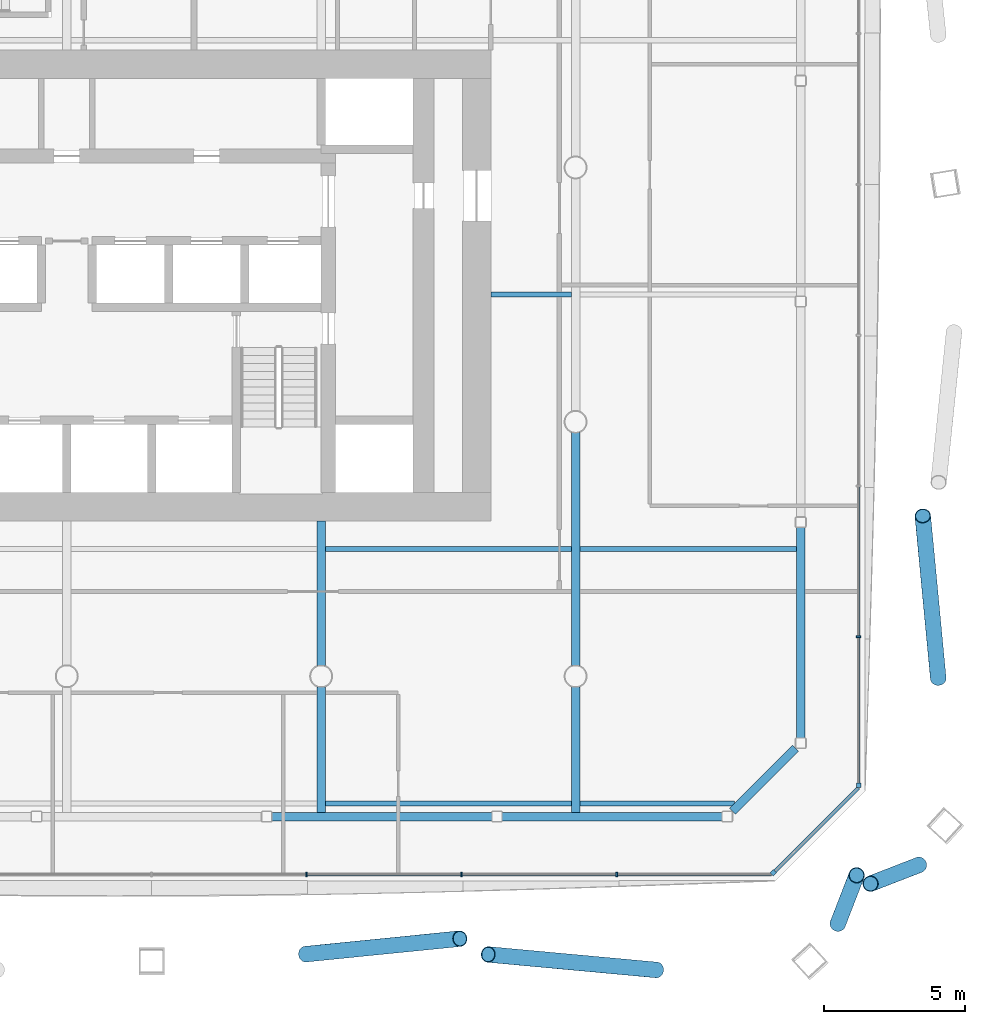
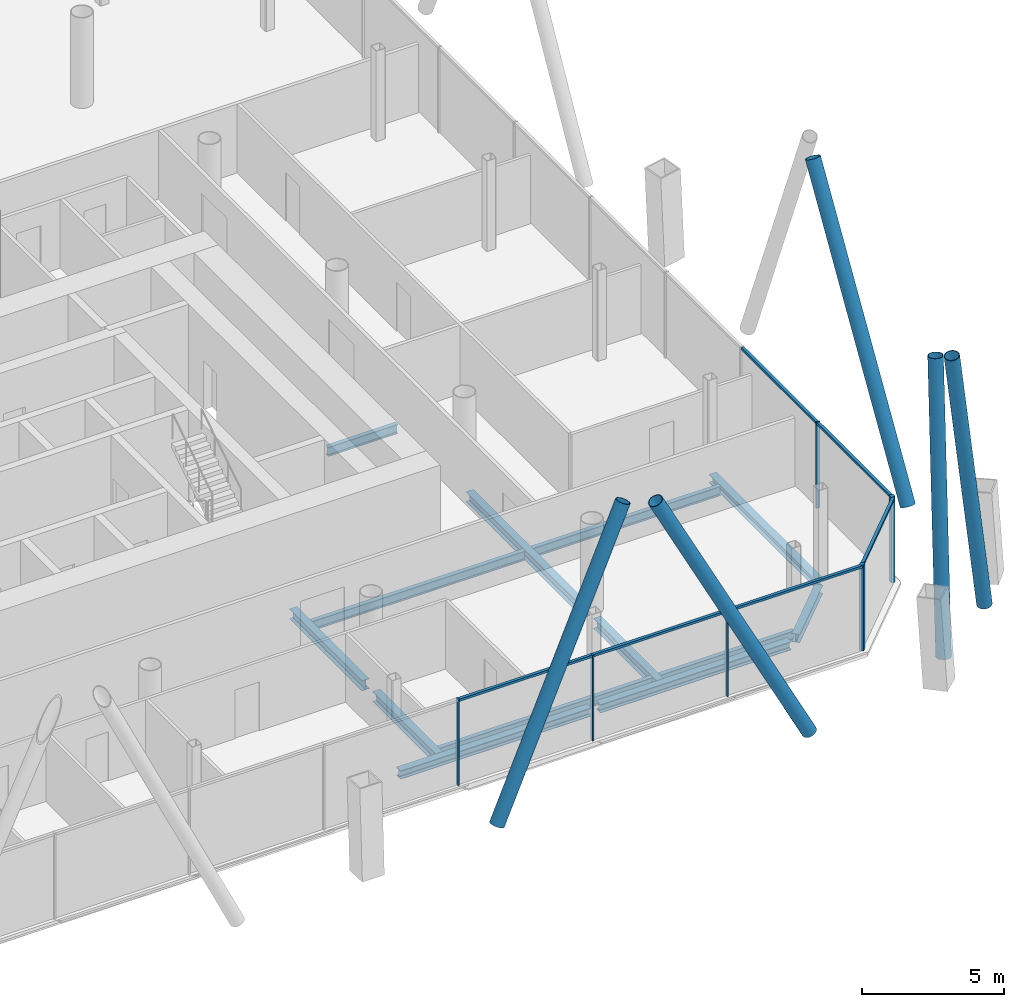
# One storey, part 6 of 22: 17 members, 13 beams, 3 elements without a shape of their own.
"""IFC4 building model written with IfcOpenShell, lengths in metres."""

import ifcopenshell
import ifcopenshell.guid

model = None  # the IFC model being written
_history = None  # IfcOwnerHistory: only IFC2X3 demands one
_inside = {}  # id of a spatial element -> (the spatial element, [elements in it])
_under = {}  # id of a project, library or spatial element -> (it, [spatial elements below it])
_declared = {}  # id of a project -> (the project, [libraries it declares])
_typed = {}  # id of a type object -> (the type object, [elements of that type])
_made_of = {}  # id of a material, layer set ... -> (it, [elements and type objects made of it])


def new_model(schema):
    """Start an empty IFC model of exactly this schema.

    Asked for "IFC4X3", IfcOpenShell would pick the latest addendum, in which some entities
    have other attributes; the version numbers below select the first issue.
    IFC2X3 requires an IfcOwnerHistory on every rooted entity: one is made here for all.
    """
    global model, _history
    if schema == "IFC4X3":
        model = ifcopenshell.file(schema_version=(4, 3, 0, 0))
    else:
        model = ifcopenshell.file(schema=schema)
    _inside.clear()
    _under.clear()
    _declared.clear()
    _typed.clear()
    _made_of.clear()
    _history = None
    if model.schema == "IFC2X3":
        org = make("IfcOrganization", Name="unknown")
        user = make(
            "IfcPersonAndOrganization",
            ThePerson=make("IfcPerson", FamilyName="unknown"),
            TheOrganization=org,
        )
        app = make(
            "IfcApplication",
            ApplicationDeveloper=org,
            Version="unknown",
            ApplicationFullName="unknown",
            ApplicationIdentifier="unknown",
        )
        _history = make(
            "IfcOwnerHistory",
            OwningUser=user,
            OwningApplication=app,
            ChangeAction="ADDED",
            CreationDate=0,
        )
    return model


def make(cls, **values):
    """One entity of the class cls with the attributes given. An attribute that is None is left unset."""
    return model.create_entity(
        cls, **{name: value for name, value in values.items() if value is not None}
    )


def rooted(cls, **values):
    """An entity with a GlobalId (a new one), such as an element, a storey or a relation."""
    return make(cls, GlobalId=ifcopenshell.guid.new(), OwnerHistory=_history, **values)


def si_unit(unit_type, name, prefix=None):
    """IfcSIUnit, for example si_unit("LENGTHUNIT", "METRE", prefix="MILLI")."""
    return make("IfcSIUnit", UnitType=unit_type, Prefix=prefix, Name=name)


def assignment(units):
    """IfcUnitAssignment: the units of a project."""
    return None if units is None else make("IfcUnitAssignment", Units=units)


def point(xyz):
    """IfcCartesianPoint."""
    return None if xyz is None else make("IfcCartesianPoint", Coordinates=xyz)


def direction(xyz):
    """IfcDirection."""
    return None if xyz is None else make("IfcDirection", DirectionRatios=xyz)


def frame(location, z_axis=None, x_axis=None):
    """IfcAxis2Placement3D, a coordinate frame: its origin and axes. An axis left out is left unset."""
    return make(
        "IfcAxis2Placement3D",
        Location=point(location),
        Axis=direction(z_axis),
        RefDirection=direction(x_axis),
    )


def frame_2d(location, x_axis=None):
    """IfcAxis2Placement2D, a coordinate frame in the plane: its origin and x axis."""
    return make(
        "IfcAxis2Placement2D", Location=point(location), RefDirection=direction(x_axis)
    )


def origin():
    """The frame at (0, 0, 0) with its axes left unset."""
    return frame((0.0, 0.0, 0.0))


def origin_2d():
    """The frame at (0, 0) in the plane with its x axis left unset."""
    return frame_2d((0.0, 0.0))


def place(relative_to, where):
    """IfcLocalPlacement: puts the frame where relative to a parent placement (None: the world)."""
    return make(
        "IfcLocalPlacement", PlacementRelTo=relative_to, RelativePlacement=where
    )


def context(
    kind, dimensions, precision=None, world=None, true_north=None, identifier=None
):
    """IfcGeometricRepresentationContext, for example the 3D "Model" context."""
    return make(
        "IfcGeometricRepresentationContext",
        ContextIdentifier=identifier,
        ContextType=kind,
        CoordinateSpaceDimension=dimensions,
        Precision=precision,
        WorldCoordinateSystem=world,
        TrueNorth=true_north,
    )


def subcontext(parent, identifier, kind, view, scale=None):
    """IfcGeometricRepresentationSubContext, for example "Body" below "Model"."""
    return make(
        "IfcGeometricRepresentationSubContext",
        ContextIdentifier=identifier,
        ContextType=kind,
        ParentContext=parent,
        TargetScale=scale,
        TargetView=view,
    )


def project(units=None, contexts=None):
    """IfcProject with its units and contexts."""
    return rooted(
        "IfcProject",
        Name="project",
        RepresentationContexts=contexts,
        UnitsInContext=assignment(units),
    )


def spatial(cls, under=None, at=None, **own):
    """A site, building, storey or space (cls), placed at a placement, below another one or the project."""
    s = rooted(cls, ObjectPlacement=at, **own)
    if under is not None:
        _under.setdefault(under.id(), (under, []))[1].append(s)
    return s


def profile(cls, at=None, kind="AREA", **sizes):
    """A parametric profile (cls). Its sizes go by their IFC names, for example OverallWidth=200.0."""
    return make(cls, ProfileType=kind, Position=at, **sizes)


def rectangle(**sizes):
    """IfcRectangleProfileDef."""
    return profile("IfcRectangleProfileDef", **sizes)


def hollow_circle(**sizes):
    """IfcCircleHollowProfileDef."""
    return profile("IfcCircleHollowProfileDef", **sizes)


def i_section(**sizes):
    """IfcIShapeProfileDef."""
    return profile("IfcIShapeProfileDef", **sizes)


def extrude(swept, where, along, depth):
    """IfcExtrudedAreaSolid: the profile swept, set in the frame where, extruded along a direction by depth."""
    return make(
        "IfcExtrudedAreaSolid",
        SweptArea=swept,
        Position=where,
        ExtrudedDirection=direction(along),
        Depth=depth,
    )


def shape(context_of_items, identifier, shape_type, items):
    """IfcShapeRepresentation: the items that make up one representation, for example the "Body"."""
    return make(
        "IfcShapeRepresentation",
        ContextOfItems=context_of_items,
        RepresentationIdentifier=identifier,
        RepresentationType=shape_type,
        Items=items,
    )


def material(Name=None, Category=None):
    """IfcMaterial."""
    return make("IfcMaterial", Name=Name, Category=Category)


def material_profile(
    of_material, cross_section, Name=None, Category=None, Priority=None
):
    """IfcMaterialProfile: a cross section and its material."""
    return make(
        "IfcMaterialProfile",
        Name=Name,
        Material=of_material,
        Profile=cross_section,
        Priority=Priority,
        Category=Category,
    )


def profile_set(profiles, Name=None, composite=None):
    """IfcMaterialProfileSet."""
    return make(
        "IfcMaterialProfileSet",
        Name=Name,
        MaterialProfiles=profiles,
        CompositeProfile=composite,
    )


def made_of(thing, what):
    """Note that an element or type object is made of a material, layer set ...; save() writes the relation."""
    if what is not None:
        _made_of.setdefault(what.id(), (what, []))[1].append(thing)
    return thing


def type_object(cls, material=None, **own):
    """A type object (cls), such as IfcWallType, which elements share."""
    return made_of(rooted(cls, **own), material)


def element(
    cls,
    number,
    at=None,
    inside=None,
    cuts=None,
    type_object=None,
    material=None,
    context=None,
    identifier="Body",
    shape_type=None,
    held_by="IfcProductDefinitionShape",
    body=None,
    shapes=None,
    **own,
):
    """One element of the class cls, such as IfcWall. Its Tag is "e" and its number.

    at: its placement. inside: the storey or other place that contains it. cuts: it is an
    opening in that element (IfcRelVoidsElement). A single representation is given by context,
    identifier, shape_type and body (its items); several are given by shapes. held_by: the class
    of the entity that holds the representations. save() writes the other relations.
    """
    e = rooted(cls, Tag="e%d" % number, ObjectPlacement=at, **own)
    if body is not None:
        shapes = [shape(context, identifier, shape_type, body)]
    if shapes is not None:
        e.Representation = make(held_by, Representations=shapes)
    if inside is not None:
        _inside.setdefault(inside.id(), (inside, []))[1].append(e)
    if cuts is not None:
        rooted(
            "IfcRelVoidsElement", RelatingBuildingElement=cuts, RelatedOpeningElement=e
        )
    if type_object is not None:
        _typed.setdefault(type_object.id(), (type_object, []))[1].append(e)
    return made_of(e, material)


def aggregate(whole, parts):
    """IfcRelAggregates: a whole, such as a stair, and the parts it consists of."""
    return rooted("IfcRelAggregates", RelatingObject=whole, RelatedObjects=parts)


def save(model, path):
    """Write the relations noted so far, then the file.

    IfcRelAggregates (storeys below a building ...), IfcRelContainedInSpatialStructure (elements
    in a storey), IfcRelDefinesByType, IfcRelAssociatesMaterial and IfcRelDeclares: one each for
    every whole, place, type object, material and project.
    """
    for whole, parts in _under.values():
        aggregate(whole, parts)
    for where, things in _inside.values():
        rooted(
            "IfcRelContainedInSpatialStructure",
            RelatedElements=things,
            RelatingStructure=where,
        )
    for kind, things in _typed.values():
        rooted("IfcRelDefinesByType", RelatedObjects=things, RelatingType=kind)
    for what, things in _made_of.values():
        rooted("IfcRelAssociatesMaterial", RelatedObjects=things, RelatingMaterial=what)
    for by, libraries in _declared.values():
        rooted("IfcRelDeclares", RelatingContext=by, RelatedDefinitions=libraries)
    model.write(path)


model = new_model("IFC4")

# Units and contexts
model_context = context("Model", 3, precision=1e-05, world=origin(), true_north=direction((0.0, 1.0)))
body_context = subcontext(model_context, "Body", "Model", "MODEL_VIEW")
ifc_project = project(units=[si_unit("LENGTHUNIT", "METRE"), si_unit("AREAUNIT", "SQUARE_METRE"), si_unit("VOLUMEUNIT", "CUBIC_METRE"), si_unit("PLANEANGLEUNIT", "RADIAN"), si_unit("MASSUNIT", "GRAM", prefix="KILO")], contexts=[model_context])

# Site, building, storey
site_placement = place(None, origin())
site = spatial("IfcSite", under=ifc_project, at=site_placement, CompositionType="ELEMENT")
building_placement = place(site_placement, origin())
building = spatial("IfcBuilding", under=site, at=building_placement, Name="Tskaro Facet Tower", CompositionType="ELEMENT")
storey_placement = place(building_placement, frame((0.0, 0.0, 73.800048828125)))
storey = spatial("IfcBuildingStorey", under=building, at=storey_placement, Name="L17", CompositionType="ELEMENT", Elevation=73.800048828125)

# Members
ifc_material_1 = material(Name="Steel S355J2H", Category="steel")
ifc_material_profile_1 = material_profile(ifc_material_1, hollow_circle(Radius=0.279541015625, WallThickness=0.02490234375, at=origin_2d()), Name="CHS 559x25")
ifc_profile_set_1 = profile_set([ifc_material_profile_1], Name="Steel S355J2H")
member_type_1 = type_object("IfcMemberType", Name="CHS 559x25 brace", PredefinedType="BRACE", material=ifc_profile_set_1)
member_1_placement = place(storey_placement, frame((8.453857421875, -27.83154296875, 0.0), z_axis=(0.422100267707, 0.042421662683, 0.90555605378), x_axis=(-0.099997642059, 0.994987674086, 0.0)))
element("IfcMember", 1, at=member_1_placement, inside=storey, type_object=member_type_1, Name="CHS 559x25 XB02A/2", PredefinedType="BRACE", context=body_context, shape_type="SweptSolid", body=[
    extrude(hollow_circle(Radius=0.279541015625, WallThickness=0.02490234375, at=origin_2d()), origin(), (0.0, 0.0, 1.0), 12.920166015625),
])
member_2_placement = place(storey_placement, frame((20.862060546875, -28.390380859375, 0.0), z_axis=(-0.453153268655, 0.041695749338, 0.890456949883), x_axis=(-0.091625418777, -0.995793544182, 0.0)))
element("IfcMember", 2, at=member_2_placement, inside=storey, type_object=member_type_1, Name="CHS 559x25 XB02B/2", PredefinedType="BRACE", context=body_context, shape_type="SweptSolid", body=[
    extrude(hollow_circle(Radius=0.279541015625, WallThickness=0.02490234375, at=origin_2d()), origin(), (0.0, 0.0, 1.0), 13.13916015625),
])
for number, where, z_axis, x_axis, name in (
    (3, (27.281005859375, -26.750244140625, 0.0), (0.055969303022, 0.144468830784, 0.987925196587), (-0.932468359741, 0.36125165478, 0.0), "CHS 559x25 XB03A/2"),
    (4, (30.145751953125, -24.67626953125, 0.0), (-0.144489015281, -0.055969136323, 0.987922254149), (0.361206838674, -0.932485720907, 0.0), "CHS 559x25 XB03B/2"),
):
    element("IfcMember", number, at=place(storey_placement, frame(where, z_axis=z_axis, x_axis=x_axis)), inside=storey, type_object=member_type_1, Name=name, PredefinedType="BRACE", context=body_context, shape_type="SweptSolid", body=[
        extrude(hollow_circle(Radius=0.279541015625, WallThickness=0.02490234375, at=origin_2d()), origin(), (0.0, 0.0, 1.0), 11.843017578125),
    ])
member_3_placement = place(storey_placement, frame((30.83154296875, -18.0712890625, 0.0), z_axis=(-0.042013200246, 0.440361966592, 0.896836790829), x_axis=(-0.995479677601, -0.09497479394, 0.0)))
element("IfcMember", 5, at=member_3_placement, inside=storey, type_object=member_type_1, Name="CHS 559x25 XB04A/2", PredefinedType="BRACE", context=body_context, shape_type="SweptSolid", body=[
    extrude(hollow_circle(Radius=0.279541015625, WallThickness=0.02490234375, at=origin_2d()), origin(), (0.0, 0.0, 1.0), 13.0458984375),
])

# Curtain wall, member
ifc_material_2 = material(Name="Bronze anodised aluminium 6063-T6", Category="aluminium")
curtain_wall_type = type_object("IfcCurtainWallType", Name="Bronze office curtain wall (FW1)", PredefinedType="NOTDEFINED", material=ifc_material_2)
curtain_wall_1_placement = place(storey_placement, origin())
curtain_wall_1 = element("IfcCurtainWall", 6, at=curtain_wall_1_placement, inside=storey, type_object=curtain_wall_type, Name="FW1 south-east facet L17", PredefinedType="NOTDEFINED")
ifc_material_profile_2 = material_profile(ifc_material_2, rectangle(XDim=0.159912109375, YDim=0.159912109375, at=origin_2d()), Name="Corner post 160x160")
ifc_profile_set_2 = profile_set([ifc_material_profile_2], Name="Bronze anodised aluminium 6063-T6")
member_type_2 = type_object("IfcMemberType", Name="FW1 bronze corner post 160x160", PredefinedType="MULLION", material=ifc_profile_set_2)
member_4_placement = place(storey_placement, frame((24.99560546875, -24.954345703125, 0.0), z_axis=(0.0, 0.0, 1.0), x_axis=(0.707106781187, 0.707106781187, 0.0)))
member_4 = element("IfcMember", 7, at=member_4_placement, type_object=member_type_2, Name="FW1 south-east corner post", PredefinedType="MULLION", context=body_context, shape_type="SweptSolid", body=[
    extrude(rectangle(XDim=0.159912109375, YDim=0.159912109375, at=origin_2d()), origin(), (0.0, 0.0, 1.0), 3.699951171875),
])

curtain_wall_2_placement = place(storey_placement, origin())
curtain_wall_2 = element("IfcCurtainWall", 8, at=curtain_wall_2_placement, inside=storey, type_object=curtain_wall_type, Name="FW1 east facet L17", PredefinedType="NOTDEFINED")
member_5_placement = place(storey_placement, frame((28.010986328125, -21.85888671875, 0.0), z_axis=(0.0, 0.0, 1.0), x_axis=(0.0, 1.0, 0.0)))
member_5 = element("IfcMember", 9, at=member_5_placement, type_object=member_type_2, Name="FW1 east corner post", PredefinedType="MULLION", context=body_context, shape_type="SweptSolid", body=[
    extrude(rectangle(XDim=0.159912109375, YDim=0.159912109375, at=origin_2d()), origin(), (0.0, 0.0, 1.0), 3.699951171875),
])

# Curtain wall, members
curtain_wall_3_placement = place(storey_placement, origin())
curtain_wall_3 = element("IfcCurtainWall", 10, at=curtain_wall_3_placement, inside=storey, type_object=curtain_wall_type, Name="FW1 south facet L17", PredefinedType="NOTDEFINED")
ifc_material_profile_3 = material_profile(ifc_material_2, rectangle(XDim=0.06005859375, YDim=0.159912109375, at=origin_2d()), Name="Mullion 60x160")
ifc_profile_set_3 = profile_set([ifc_material_profile_3], Name="Bronze anodised aluminium 6063-T6")
member_type_3 = type_object("IfcMemberType", Name="FW1 bronze mullion 60x160", PredefinedType="MULLION", material=ifc_profile_set_3)
member_6_placement = place(storey_placement, frame((8.48486328125, -25.010986328125, 0.0), z_axis=(0.0, 0.0, 1.0), x_axis=(1.0, 0.0, 0.0)))
member_6 = element("IfcMember", 11, at=member_6_placement, type_object=member_type_3, Name="FW1 south mullion 5", PredefinedType="MULLION", context=body_context, shape_type="SweptSolid", body=[
    extrude(rectangle(XDim=0.06005859375, YDim=0.159912109375, at=origin_2d()), origin(), (0.0, 0.0, 1.0), 3.699951171875),
])
member_7_placement = place(storey_placement, frame((13.969482421875, -25.010986328125, 0.0), z_axis=(0.0, 0.0, 1.0), x_axis=(1.0, 0.0, 0.0)))
member_7 = element("IfcMember", 12, at=member_7_placement, type_object=member_type_3, Name="FW1 south mullion 6", PredefinedType="MULLION", context=body_context, shape_type="SweptSolid", body=[
    extrude(rectangle(XDim=0.06005859375, YDim=0.159912109375, at=origin_2d()), origin(), (0.0, 0.0, 1.0), 3.699951171875),
])
member_8_placement = place(storey_placement, frame((19.454345703125, -25.010986328125, 0.0), z_axis=(0.0, 0.0, 1.0), x_axis=(1.0, 0.0, 0.0)))
member_8 = element("IfcMember", 13, at=member_8_placement, type_object=member_type_3, Name="FW1 south mullion 7", PredefinedType="MULLION", context=body_context, shape_type="SweptSolid", body=[
    extrude(rectangle(XDim=0.06005859375, YDim=0.159912109375, at=origin_2d()), origin(), (0.0, 0.0, 1.0), 3.699951171875),
])

# Member
member_9_placement = place(storey_placement, frame((28.010986328125, -16.603515625, 0.0), z_axis=(0.0, 0.0, 1.0), x_axis=(0.0, 1.0, 0.0)))
member_9 = element("IfcMember", 14, at=member_9_placement, type_object=member_type_3, Name="FW1 east mullion 1", PredefinedType="MULLION", context=body_context, shape_type="SweptSolid", body=[
    extrude(rectangle(XDim=0.06005859375, YDim=0.159912109375, at=origin_2d()), origin(), (0.0, 0.0, 1.0), 3.699951171875),
])

ifc_material_profile_4 = material_profile(ifc_material_2, rectangle(XDim=0.1201171875, YDim=0.10009765625, at=origin_2d()), Name="Transom 120x100")
ifc_profile_set_4 = profile_set([ifc_material_profile_4], Name="Bronze anodised aluminium 6063-T6")
member_type_4 = type_object("IfcMemberType", Name="FW1 bronze transom 120x100", PredefinedType="USERDEFINED", material=ifc_profile_set_4)
member_10_placement = place(storey_placement, frame((8.5146484375, -25.010986328125, 3.64990234375), z_axis=(1.0, 0.0, 0.0), x_axis=(0.0, 1.0, 0.0)))
member_10 = element("IfcMember", 15, at=member_10_placement, type_object=member_type_4, Name="FW1 south transom 6.1", ObjectType="TRANSOM", PredefinedType="USERDEFINED", context=body_context, shape_type="SweptSolid", body=[
    extrude(rectangle(XDim=0.1201171875, YDim=0.10009765625, at=origin_2d()), origin(), (0.0, 0.0, 1.0), 5.4248046875),
])

member_11_placement = place(storey_placement, frame((13.99951171875, -25.010986328125, 3.64990234375), z_axis=(1.0, 0.0, 0.0), x_axis=(0.0, 1.0, 0.0)))
member_11 = element("IfcMember", 16, at=member_11_placement, type_object=member_type_4, Name="FW1 south transom 7.1", ObjectType="TRANSOM", PredefinedType="USERDEFINED", context=body_context, shape_type="SweptSolid", body=[
    extrude(rectangle(XDim=0.1201171875, YDim=0.10009765625, at=origin_2d()), origin(), (0.0, 0.0, 1.0), 5.4248046875),
])

member_12_placement = place(storey_placement, frame((19.484130859375, -25.010986328125, 3.64990234375), z_axis=(1.0, 0.0, 0.0), x_axis=(0.0, 1.0, 0.0)))
member_12 = element("IfcMember", 17, at=member_12_placement, type_object=member_type_4, Name="FW1 south transom 8.1", ObjectType="TRANSOM", PredefinedType="USERDEFINED", context=body_context, shape_type="SweptSolid", body=[
    extrude(rectangle(XDim=0.1201171875, YDim=0.10009765625, at=origin_2d()), origin(), (0.0, 0.0, 1.0), 5.454833984375),
])

aggregate(curtain_wall_3, [member_6, member_7, member_8, member_10, member_11, member_12])

member_13_placement = place(storey_placement, frame((25.05224609375, -24.89794921875, 3.64990234375), z_axis=(0.70707760831, 0.70713595286, 0.0), x_axis=(-0.70713595286, 0.70707760831, 0.0)))
member_13 = element("IfcMember", 18, at=member_13_placement, type_object=member_type_4, Name="FW1 south-east transom 1.1", ObjectType="TRANSOM", PredefinedType="USERDEFINED", context=body_context, shape_type="SweptSolid", body=[
    extrude(rectangle(XDim=0.1201171875, YDim=0.10009765625, at=origin_2d()), origin(), (0.0, 0.0, 1.0), 4.1845703125),
])

aggregate(curtain_wall_1, [member_4, member_13])

member_14_placement = place(storey_placement, frame((28.010986328125, -21.779052734375, 3.64990234375), z_axis=(0.0, 1.0, 0.0), x_axis=(-1.0, 0.0, 0.0)))
member_14 = element("IfcMember", 19, at=member_14_placement, type_object=member_type_4, Name="FW1 east transom 1.1", ObjectType="TRANSOM", PredefinedType="USERDEFINED", context=body_context, shape_type="SweptSolid", body=[
    extrude(rectangle(XDim=0.1201171875, YDim=0.10009765625, at=origin_2d()), origin(), (0.0, 0.0, 1.0), 5.1455078125),
])

member_15_placement = place(storey_placement, frame((28.010986328125, -16.57373046875, 3.64990234375), z_axis=(0.0, 1.0, 0.0), x_axis=(-1.0, 0.0, 0.0)))
member_15 = element("IfcMember", 20, at=member_15_placement, type_object=member_type_4, Name="FW1 east transom 2.1", ObjectType="TRANSOM", PredefinedType="USERDEFINED", context=body_context, shape_type="SweptSolid", body=[
    extrude(rectangle(XDim=0.1201171875, YDim=0.10009765625, at=origin_2d()), origin(), (0.0, 0.0, 1.0), 5.275390625),
])

aggregate(curtain_wall_2, [member_5, member_9, member_14, member_15])

# Beams
ifc_material_3 = material(Name="Steel S355J2", Category="steel")
ifc_material_profile_5 = material_profile(ifc_material_3, i_section(OverallWidth=0.300048828125, OverallDepth=0.360107421875, WebThickness=0.012451171875, FlangeThickness=0.0224609375, FilletRadius=0.027099609375, at=origin_2d()), Name="HE 360 B")
ifc_profile_set_5 = profile_set([ifc_material_profile_5], Name="Steel S355J2")
beam_type_1 = type_object("IfcBeamType", Name="HE 360 B ring beam", PredefinedType="BEAM", material=ifc_profile_set_5)
beam_1_placement = place(storey_placement, frame((7.2529296875, -22.965087890625, -0.320068359375), z_axis=(1.0, 0.0, 0.0), x_axis=(0.0, 1.0, 0.0)))
element("IfcBeam", 21, at=beam_1_placement, inside=storey, type_object=beam_type_1, Name="HE 360 B EB4-2", PredefinedType="BEAM", context=body_context, shape_type="SweptSolid", body=[
    extrude(i_section(OverallWidth=0.300048828125, OverallDepth=0.360107421875, WebThickness=0.012451171875, FlangeThickness=0.0224609375, FilletRadius=0.027099609375, at=origin_2d()), origin(), (0.0, 0.0, 1.0), 7.78515625),
])
beam_2_placement = place(storey_placement, frame((15.39794921875, -22.965087890625, -0.320068359375), z_axis=(1.0, 0.0, 0.0), x_axis=(0.0, 1.0, 0.0)))
element("IfcBeam", 22, at=beam_2_placement, inside=storey, type_object=beam_type_1, Name="HE 360 B EB5-2", PredefinedType="BEAM", context=body_context, shape_type="SweptSolid", body=[
    extrude(i_section(OverallWidth=0.300048828125, OverallDepth=0.360107421875, WebThickness=0.012451171875, FlangeThickness=0.0224609375, FilletRadius=0.027099609375, at=origin_2d()), origin(), (0.0, 0.0, 1.0), 7.7861328125),
])
beam_3_placement = place(storey_placement, frame((23.5498046875, -22.779052734375, -0.320068359375), z_axis=(0.707106781187, 0.707106781187, 0.0), x_axis=(-0.707106781187, 0.707106781187, 0.0)))
element("IfcBeam", 23, at=beam_3_placement, inside=storey, type_object=beam_type_1, Name="HE 360 B EB6-2", PredefinedType="BEAM", context=body_context, shape_type="SweptSolid", body=[
    extrude(i_section(OverallWidth=0.300048828125, OverallDepth=0.360107421875, WebThickness=0.012451171875, FlangeThickness=0.0224609375, FilletRadius=0.027099609375, at=origin_2d()), origin(), (0.0, 0.0, 1.0), 3.152587890625),
])
beam_4_placement = place(storey_placement, frame((25.965087890625, -20.18408203125, -0.320068359375), z_axis=(0.0, 1.0, 0.0), x_axis=(-1.0, 0.0, 0.0)))
element("IfcBeam", 24, at=beam_4_placement, inside=storey, type_object=beam_type_1, Name="HE 360 B EB7-2", PredefinedType="BEAM", context=body_context, shape_type="SweptSolid", body=[
    extrude(i_section(OverallWidth=0.300048828125, OverallDepth=0.360107421875, WebThickness=0.012451171875, FlangeThickness=0.0224609375, FilletRadius=0.027099609375, at=origin_2d()), origin(), (0.0, 0.0, 1.0), 7.451171875),
])
ifc_material_profile_6 = material_profile(ifc_material_3, i_section(OverallWidth=0.300048828125, OverallDepth=0.43994140625, WebThickness=0.011474609375, FlangeThickness=0.02099609375, FilletRadius=0.027099609375, at=origin_2d()), Name="HE 450 A")
ifc_profile_set_6 = profile_set([ifc_material_profile_6], Name="Steel S355J2")
beam_type_2 = type_object("IfcBeamType", Name="HE 450 A girder", PredefinedType="BEAM", material=ifc_profile_set_6)
beam_5_placement = place(storey_placement, frame((9.0, -22.81494140625, -0.360107421875), z_axis=(0.0, 1.0, 0.0), x_axis=(-1.0, 0.0, 0.0)))
element("IfcBeam", 25, at=beam_5_placement, inside=storey, type_object=beam_type_2, Name="HE 450 A GB5-1-2", PredefinedType="BEAM", context=body_context, shape_type="SweptSolid", body=[
    extrude(i_section(OverallWidth=0.300048828125, OverallDepth=0.43994140625, WebThickness=0.011474609375, FlangeThickness=0.02099609375, FilletRadius=0.027099609375, at=origin_2d()), origin(), (0.0, 0.0, 1.0), 4.4384765625),
])
beam_6_placement = place(storey_placement, frame((9.0, -17.62353515625, -0.360107421875), z_axis=(0.0, 1.0, 0.0), x_axis=(-1.0, 0.0, 0.0)))
element("IfcBeam", 26, at=beam_6_placement, inside=storey, type_object=beam_type_2, Name="HE 450 A GB5-2-2", PredefinedType="BEAM", context=body_context, shape_type="SweptSolid", body=[
    extrude(i_section(OverallWidth=0.300048828125, OverallDepth=0.43994140625, WebThickness=0.011474609375, FlangeThickness=0.02099609375, FilletRadius=0.027099609375, at=origin_2d()), origin(), (0.0, 0.0, 1.0), 5.12353515625),
])
beam_7_placement = place(storey_placement, frame((18.0, -22.81494140625, -0.360107421875), z_axis=(0.0, 1.0, 0.0), x_axis=(-1.0, 0.0, 0.0)))
element("IfcBeam", 27, at=beam_7_placement, inside=storey, type_object=beam_type_2, Name="HE 450 A GB6-1-2", PredefinedType="BEAM", context=body_context, shape_type="SweptSolid", body=[
    extrude(i_section(OverallWidth=0.300048828125, OverallDepth=0.43994140625, WebThickness=0.011474609375, FlangeThickness=0.02099609375, FilletRadius=0.027099609375, at=origin_2d()), origin(), (0.0, 0.0, 1.0), 4.4384765625),
])
beam_8_placement = place(storey_placement, frame((18.0, -17.62353515625, -0.360107421875), z_axis=(0.0, 1.0, 0.0), x_axis=(-1.0, 0.0, 0.0)))
element("IfcBeam", 28, at=beam_8_placement, inside=storey, type_object=beam_type_2, Name="HE 450 A GB6-2-2", PredefinedType="BEAM", context=body_context, shape_type="SweptSolid", body=[
    extrude(i_section(OverallWidth=0.300048828125, OverallDepth=0.43994140625, WebThickness=0.011474609375, FlangeThickness=0.02099609375, FilletRadius=0.027099609375, at=origin_2d()), origin(), (0.0, 0.0, 1.0), 8.2470703125),
])
ifc_material_profile_7 = material_profile(ifc_material_3, i_section(OverallWidth=0.179931640625, OverallDepth=0.39990234375, WebThickness=0.008544921875, FlangeThickness=0.013427734375, FilletRadius=0.02099609375, at=origin_2d()), Name="IPE 400")
ifc_profile_set_7 = profile_set([ifc_material_profile_7], Name="Steel S355J2")
beam_type_3 = type_object("IfcBeamType", Name="IPE 400 secondary beam", PredefinedType="BEAM", material=ifc_profile_set_7)
beam_9_placement = place(storey_placement, frame((9.14990234375, -22.5, -0.340087890625), z_axis=(1.0, 0.0, 0.0), x_axis=(0.0, 1.0, 0.0)))
element("IfcBeam", 29, at=beam_9_placement, inside=storey, type_object=beam_type_3, Name="IPE 400 SB1a-4-2", PredefinedType="BEAM", context=body_context, shape_type="SweptSolid", body=[
    extrude(i_section(OverallWidth=0.179931640625, OverallDepth=0.39990234375, WebThickness=0.008544921875, FlangeThickness=0.013427734375, FilletRadius=0.02099609375, at=origin_2d()), origin(), (0.0, 0.0, 1.0), 8.7001953125),
])
beam_10_placement = place(storey_placement, frame((18.14990234375, -22.5, -0.340087890625), z_axis=(1.0, 0.0, 0.0), x_axis=(0.0, 1.0, 0.0)))
element("IfcBeam", 30, at=beam_10_placement, inside=storey, type_object=beam_type_3, Name="IPE 400 SB1a-5-2", PredefinedType="BEAM", context=body_context, shape_type="SweptSolid", body=[
    extrude(i_section(OverallWidth=0.179931640625, OverallDepth=0.39990234375, WebThickness=0.008544921875, FlangeThickness=0.013427734375, FilletRadius=0.02099609375, at=origin_2d()), origin(), (0.0, 0.0, 1.0), 5.467041015625),
])
beam_11_placement = place(storey_placement, frame((9.14990234375, -13.5, -0.340087890625), z_axis=(1.0, 0.0, 0.0), x_axis=(0.0, 1.0, 0.0)))
element("IfcBeam", 31, at=beam_11_placement, inside=storey, type_object=beam_type_3, Name="IPE 400 SB2a-4-2", PredefinedType="BEAM", context=body_context, shape_type="SweptSolid", body=[
    extrude(i_section(OverallWidth=0.179931640625, OverallDepth=0.39990234375, WebThickness=0.008544921875, FlangeThickness=0.013427734375, FilletRadius=0.02099609375, at=origin_2d()), origin(), (0.0, 0.0, 1.0), 8.7001953125),
])
beam_12_placement = place(storey_placement, frame((18.14990234375, -13.5, -0.340087890625), z_axis=(1.0, 0.0, 0.0), x_axis=(0.0, 1.0, 0.0)))
element("IfcBeam", 32, at=beam_12_placement, inside=storey, type_object=beam_type_3, Name="IPE 400 SB2a-5-2", PredefinedType="BEAM", context=body_context, shape_type="SweptSolid", body=[
    extrude(i_section(OverallWidth=0.179931640625, OverallDepth=0.39990234375, WebThickness=0.008544921875, FlangeThickness=0.013427734375, FilletRadius=0.02099609375, at=origin_2d()), origin(), (0.0, 0.0, 1.0), 7.6650390625),
])
beam_13_placement = place(storey_placement, frame((15.0, -4.5, -0.340087890625), z_axis=(1.0, 0.0, 0.0), x_axis=(0.0, 1.0, 0.0)))
element("IfcBeam", 33, at=beam_13_placement, inside=storey, type_object=beam_type_3, Name="IPE 400 SB3a-2-2", PredefinedType="BEAM", context=body_context, shape_type="SweptSolid", body=[
    extrude(i_section(OverallWidth=0.179931640625, OverallDepth=0.39990234375, WebThickness=0.008544921875, FlangeThickness=0.013427734375, FilletRadius=0.02099609375, at=origin_2d()), origin(), (0.0, 0.0, 1.0), 2.85009765625),
])

save(model, "model.ifc")
